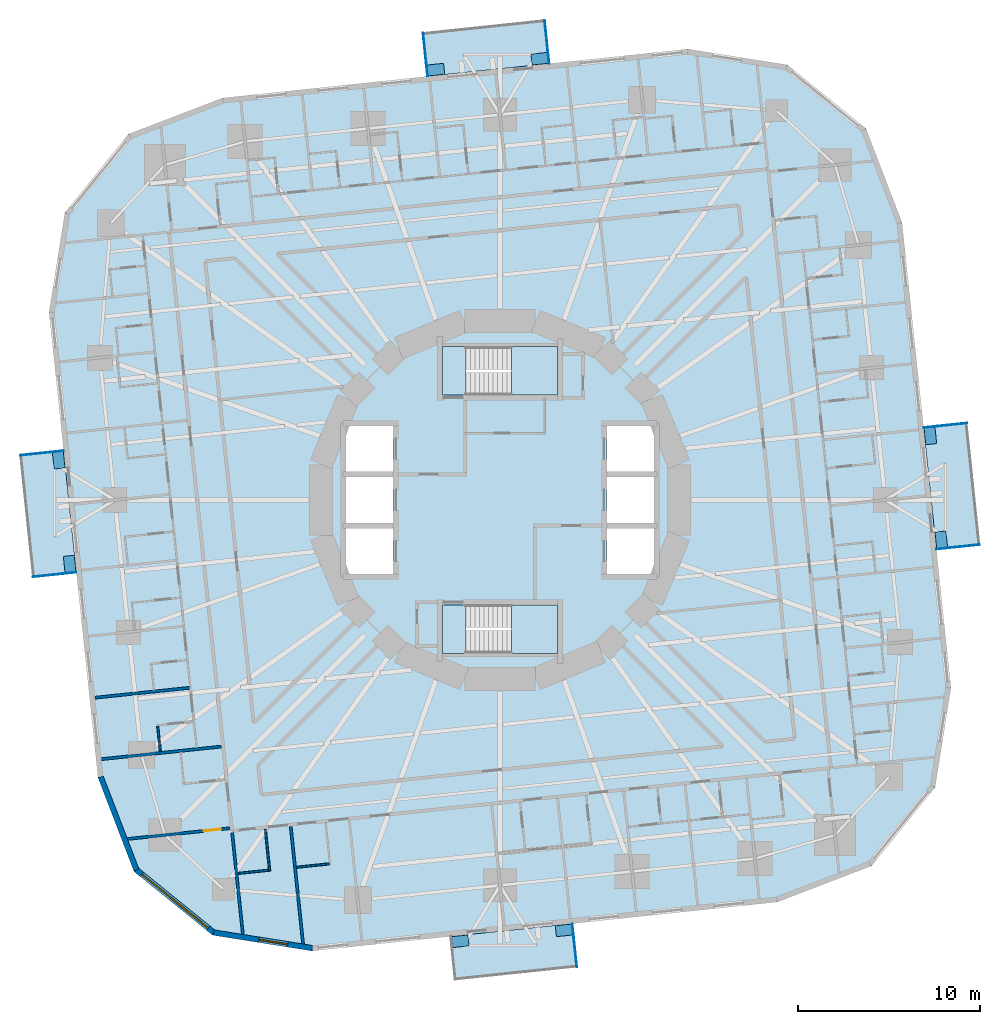
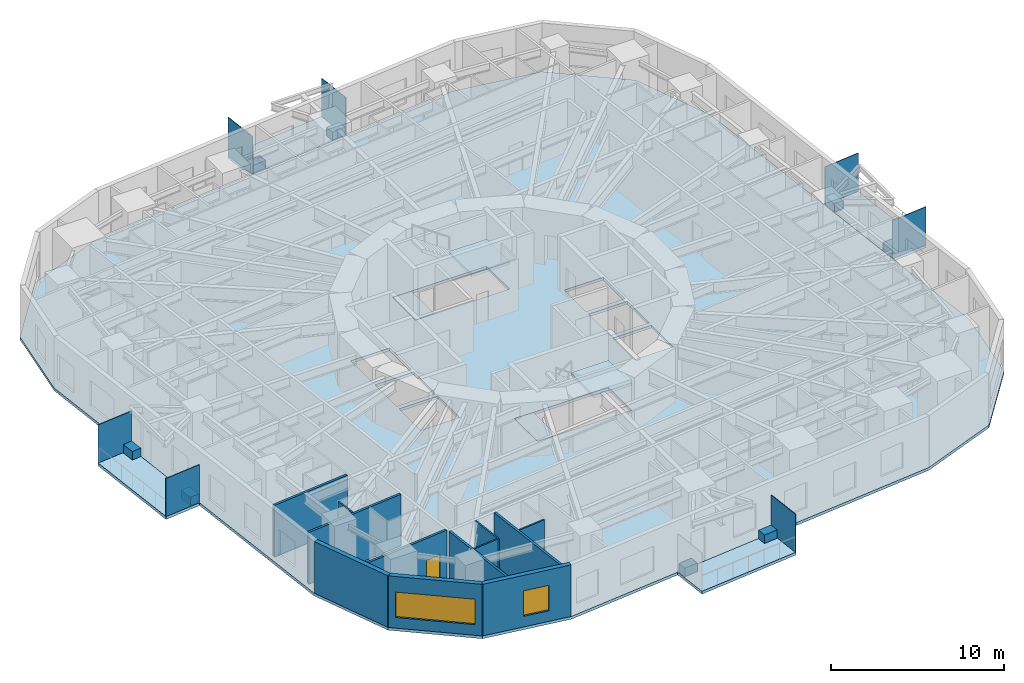
# One storey, part 4 of 15: 15 plates, 12 walls, 9 slabs, 2 windows, 1 door, 3 openings, 2 elements without a shape of their own.
"""IFC4 building model written with IfcOpenShell, lengths in metres."""

from ifc_helpers import new_model, si_unit, direction, frame, frame_2d, origin, origin_2d, place, context, subcontext, project, spatial, polyline, rectangle, outline, extrude, material, layer, layer_set, type_object, element, fill, aggregate, save


model = new_model("IFC4")

# Units and contexts
model_context = context("Model", 3, precision=1e-05, world=origin(), true_north=direction((0.0, 1.0)))
body_context = subcontext(model_context, "Body", "Model", "MODEL_VIEW")
ifc_project = project(units=[si_unit("LENGTHUNIT", "METRE"), si_unit("AREAUNIT", "SQUARE_METRE"), si_unit("VOLUMEUNIT", "CUBIC_METRE"), si_unit("PLANEANGLEUNIT", "RADIAN"), si_unit("MASSUNIT", "GRAM", prefix="KILO")], contexts=[model_context])

# Site, building, storey
site_placement = place(None, origin())
site = spatial("IfcSite", under=ifc_project, at=site_placement, CompositionType="ELEMENT")
building_placement = place(site_placement, origin())
building = spatial("IfcBuilding", under=site, at=building_placement, Name="Nakasero Lantern House", CompositionType="ELEMENT")
storey_placement = place(building_placement, frame((0.0, 0.0, 68.199951171875)))
storey = spatial("IfcBuildingStorey", under=building, at=storey_placement, Name="L16", CompositionType="ELEMENT", Elevation=68.199951171875)

# Plates
ifc_material_1 = material(Name="Aluminium 6063-T6", Category="aluminium")
ifc_layer_1 = layer(ifc_material_1, 0.60009765625)
ifc_layer_set_1 = layer_set([ifc_layer_1], Name="Balcony planter 600x900")
plate_type_1 = type_object("IfcPlateType", Name="Balcony planter 600x900", PredefinedType="USERDEFINED", material=ifc_layer_set_1)
for number, where, z_axis, x_axis, name in (
    (1, (24.1796875, -2.174560546875, 0.0), (0.0, 0.0, 1.0), (0.994521895368, 0.104528463268, 0.0), "Balcony PLANTER L16 BAL0A"),
    (2, (23.58251953125, 3.507568359375, 0.0), (0.0, 0.0, 1.0), (0.994521895368, 0.104528463268, 0.0), "Balcony PLANTER L16 BAL0B"),
    (3, (2.174560546875, 24.1796875, 0.0), (0.0, 0.0, 1.0), (-0.104528463268, 0.994521895368, 0.0), "Balcony PLANTER L16 BAL1A"),
    (4, (-3.507568359375, 23.58251953125, 0.0), (0.0, 0.0, 1.0), (-0.104528463268, 0.994521895368, 0.0), "Balcony PLANTER L16 BAL1B"),
    (5, (-24.1796875, 2.174560546875, 0.0), (0.0, 0.0, 1.0), (-0.994521895368, -0.104528463268, 0.0), "Balcony PLANTER L16 BAL2A"),
    (6, (-23.58251953125, -3.507568359375, 0.0), (0.0, 0.0, 1.0), (-0.994521895368, -0.104528463268, 0.0), "Balcony PLANTER L16 BAL2B"),
    (7, (-2.174560546875, -24.1796875, 0.0), (0.0, 0.0, 1.0), (0.104528463268, -0.994521895368, 0.0), "Balcony PLANTER L16 BAL3A"),
    (8, (3.507568359375, -23.58251953125, 0.0), (0.0, 0.0, 1.0), (0.104528463268, -0.994521895368, 0.0), "Balcony PLANTER L16 BAL3B"),
):
    element("IfcPlate", number, at=place(storey_placement, frame(where, z_axis=z_axis, x_axis=x_axis)), inside=storey, type_object=plate_type_1, Name=name, ObjectType="PLANTER", PredefinedType="USERDEFINED", context=body_context, shape_type="SweptSolid", body=[
        extrude(rectangle(XDim=0.60009765625, YDim=0.89990234375, at=origin_2d()), origin(), (0.0, 0.0, 1.0), 0.60009765625),
    ])
ifc_material_2 = material(Name="Aluminium 6063-T6", Category="aluminium")
ifc_layer_2 = layer(ifc_material_2, 0.0400390625)
ifc_layer_set_2 = layer_set([ifc_layer_2], Name="Balcony screen 2400x2700")
plate_type_2 = type_object("IfcPlateType", Name="Balcony screen 2400x2700", PredefinedType="SHEET", material=ifc_layer_set_2)
for number, where, z_axis, x_axis, name in (
    (9, (25.106201171875, -2.56982421875, 0.0), (0.0, 0.0, 1.0), (0.994521895368, 0.104528463268, 0.0), "Balcony SCREEN L16 BAL0A"),
    (10, (24.406494140625, 4.0869140625, 0.0), (0.0, 0.0, 1.0), (0.994521895368, 0.104528463268, 0.0), "Balcony SCREEN L16 BAL0B"),
    (11, (2.56982421875, 25.106201171875, 0.0), (0.0, 0.0, 1.0), (-0.104528463268, 0.994521895368, 0.0), "Balcony SCREEN L16 BAL1A"),
    (12, (-4.0869140625, 24.406494140625, 0.0), (0.0, 0.0, 1.0), (-0.104528463268, 0.994521895368, 0.0), "Balcony SCREEN L16 BAL1B"),
    (13, (-25.106201171875, 2.56982421875, 0.0), (0.0, 0.0, 1.0), (-0.994521895368, -0.104528463268, 0.0), "Balcony SCREEN L16 BAL2A"),
    (14, (-24.406494140625, -4.0869140625, 0.0), (0.0, 0.0, 1.0), (-0.994521895368, -0.104528463268, 0.0), "Balcony SCREEN L16 BAL2B"),
    (15, (4.0869140625, -24.406494140625, 0.0), (0.0, 0.0, 1.0), (0.104528463268, -0.994521895368, 0.0), "Balcony SCREEN L16 BAL3B"),
):
    element("IfcPlate", number, at=place(storey_placement, frame(where, z_axis=z_axis, x_axis=x_axis)), inside=storey, type_object=plate_type_2, Name=name, PredefinedType="SHEET", context=body_context, shape_type="SweptSolid", body=[
        extrude(rectangle(XDim=2.39990234375, YDim=0.0400390625, at=origin_2d()), origin(), (0.0, 0.0, 1.0), 2.699951171875),
    ])

# Slabs
ifc_material_3 = material(Name="Concrete C35/45", Category="concrete")
ifc_layer_3 = layer(ifc_material_3, 0.199951171875)
ifc_layer_set_3 = layer_set([ifc_layer_3], Name="Balcony slab 200")
slab_type_1 = type_object("IfcSlabType", Name="Balcony slab 200", PredefinedType="USERDEFINED", material=ifc_layer_set_3)
slab_1_placement = place(storey_placement, frame((0.0, 0.0, -0.199951171875)))
element("IfcSlab", 16, at=slab_1_placement, inside=storey, type_object=slab_type_1, Name="Balcony L16 BAL0", ObjectType="BALCONY", PredefinedType="USERDEFINED", context=body_context, shape_type="SweptSolid", body=[
    extrude(outline(polyline([(23.914794921875, -2.715087890625), (26.3017578125, -2.464111328125), (25.597900390625, 4.232177734375), (23.2109375, 3.9814453125), (23.914794921875, -2.715087890625)])), origin(), (0.0, 0.0, 1.0), 0.199951171875),
])
slab_2_placement = place(storey_placement, frame((0.0, 0.0, -0.199951171875)))
element("IfcSlab", 17, at=slab_2_placement, inside=storey, type_object=slab_type_1, Name="Balcony L16 BAL1", ObjectType="BALCONY", PredefinedType="USERDEFINED", context=body_context, shape_type="SweptSolid", body=[
    extrude(outline(polyline([(2.715087890625, 23.914794921875), (2.464111328125, 26.3017578125), (-4.232177734375, 25.597900390625), (-3.9814453125, 23.2109375), (2.715087890625, 23.914794921875)])), origin(), (0.0, 0.0, 1.0), 0.199951171875),
])
slab_3_placement = place(storey_placement, frame((0.0, 0.0, -0.199951171875)))
element("IfcSlab", 18, at=slab_3_placement, inside=storey, type_object=slab_type_1, Name="Balcony L16 BAL2", ObjectType="BALCONY", PredefinedType="USERDEFINED", context=body_context, shape_type="SweptSolid", body=[
    extrude(outline(polyline([(-23.914794921875, 2.715087890625), (-26.3017578125, 2.464111328125), (-25.597900390625, -4.232177734375), (-23.2109375, -3.9814453125), (-23.914794921875, 2.715087890625)])), origin(), (0.0, 0.0, 1.0), 0.199951171875),
])
slab_4_placement = place(storey_placement, frame((0.0, 0.0, -0.199951171875)))
element("IfcSlab", 19, at=slab_4_placement, inside=storey, type_object=slab_type_1, Name="Balcony L16 BAL3", ObjectType="BALCONY", PredefinedType="USERDEFINED", context=body_context, shape_type="SweptSolid", body=[
    extrude(outline(polyline([(-2.715087890625, -23.914794921875), (-2.464111328125, -26.3017578125), (4.232177734375, -25.597900390625), (3.9814453125, -23.2109375), (-2.715087890625, -23.914794921875)])), origin(), (0.0, 0.0, 1.0), 0.199951171875),
])
ifc_material_4 = material(Name="Concrete C35/45", Category="concrete")
ifc_layer_4 = layer(ifc_material_4, 0.199951171875)
ifc_layer_set_4 = layer_set([ifc_layer_4], Name="Composite floor slab 200")
slab_type_2 = type_object("IfcSlabType", Name="Composite floor slab 200", PredefinedType="FLOOR", material=ifc_layer_set_4)
slab_5_placement = place(storey_placement, frame((0.0, 0.0, -0.199951171875)))
element("IfcSlab", 20, at=slab_5_placement, inside=storey, type_object=slab_type_2, Name="Floor slab L16", PredefinedType="FLOOR", context=body_context, shape_type="SweptSolid", body=[
    extrude(outline(polyline([(22.033203125, 15.186279296875), (20.04833984375, 20.357177734375), (15.743896484375, 23.8427734375), (10.2734375, 24.709228515625), (-15.186279296875, 22.033203125), (-20.357177734375, 20.04833984375), (-23.8427734375, 15.743896484375), (-24.709228515625, 10.2734375), (-22.033203125, -15.186279296875), (-20.04833984375, -20.357177734375), (-15.743896484375, -23.8427734375), (-10.2734375, -24.709228515625), (15.186279296875, -22.033203125), (20.357177734375, -20.04833984375), (23.8427734375, -15.743896484375), (24.709228515625, -10.2734375), (22.033203125, 15.186279296875)]), holes=[polyline([(-8.449951171875, -4.050048828125), (-5.85009765625, -4.050048828125), (-5.85009765625, -1.550048828125), (-8.449951171875, -1.550048828125), (-8.449951171875, -4.050048828125)]), polyline([(-8.449951171875, -1.25), (-5.85009765625, -1.25), (-5.85009765625, 1.25), (-8.449951171875, 1.25), (-8.449951171875, -1.25)]), polyline([(-8.449951171875, 1.550048828125), (-5.85009765625, 1.550048828125), (-5.85009765625, 4.050048828125), (-8.449951171875, 4.050048828125), (-8.449951171875, 1.550048828125)]), polyline([(5.85009765625, -4.050048828125), (8.449951171875, -4.050048828125), (8.449951171875, -1.550048828125), (5.85009765625, -1.550048828125), (5.85009765625, -4.050048828125)]), polyline([(5.85009765625, -1.25), (8.449951171875, -1.25), (8.449951171875, 1.25), (5.85009765625, 1.25), (5.85009765625, -1.25)]), polyline([(5.85009765625, 1.550048828125), (8.449951171875, 1.550048828125), (8.449951171875, 4.050048828125), (5.85009765625, 4.050048828125), (5.85009765625, 1.550048828125)]), polyline([(-3.14990234375, 5.75), (3.14990234375, 5.75), (3.14990234375, 8.39990234375), (-3.14990234375, 8.39990234375), (-3.14990234375, 5.75)]), polyline([(-3.14990234375, -8.39990234375), (3.14990234375, -8.39990234375), (3.14990234375, -5.75), (-3.14990234375, -5.75), (-3.14990234375, -8.39990234375)])]), origin(), (0.0, 0.0, 1.0), 0.199951171875),
])

# Stair, slabs
ifc_material_5 = material(Name="Concrete C40/50", Category="concrete")
stair_type_1 = type_object("IfcStairType", Name="Escape stair ST1 22 risers", PredefinedType="HALF_TURN_STAIR", material=ifc_material_5)
stair_1_placement = place(storey_placement, origin())
stair_1 = element("IfcStair", 21, at=stair_1_placement, inside=storey, type_object=stair_type_1, Name="Escape stair ST1 L16", PredefinedType="HALF_TURN_STAIR")
ifc_material_6 = material(Name="Concrete C40/50", Category="concrete")
ifc_layer_5 = layer(ifc_material_6, 0.199951171875)
ifc_layer_set_5 = layer_set([ifc_layer_5], Name="Stair landing 200")
slab_type_3 = type_object("IfcSlabType", Name="Stair landing 200", PredefinedType="LANDING", material=ifc_layer_set_5)
slab_6_placement = place(storey_placement, frame((0.0, 0.0, -0.199951171875)))
slab_6 = element("IfcSlab", 22, at=slab_6_placement, type_object=slab_type_3, Name="ST1 landing 1", PredefinedType="LANDING", context=body_context, shape_type="SweptSolid", body=[
    extrude(outline(polyline([(-3.14990234375, 5.75), (-1.875, 5.75), (-1.875, 8.39990234375), (-3.14990234375, 8.39990234375), (-3.14990234375, 5.75)])), origin(), (0.0, 0.0, 1.0), 0.199951171875),
])
slab_7_placement = place(storey_placement, frame((0.0, 0.0, 1.72509765625)))
slab_7 = element("IfcSlab", 23, at=slab_7_placement, type_object=slab_type_3, Name="ST1 landing 2", PredefinedType="LANDING", context=body_context, shape_type="SweptSolid", body=[
    extrude(outline(polyline([(0.625, 5.75), (3.14990234375, 5.75), (3.14990234375, 8.39990234375), (0.625, 8.39990234375), (0.625, 5.75)])), origin(), (0.0, 0.0, 1.0), 0.199951171875),
])
aggregate(stair_1, [slab_6, slab_7])

ifc_material_7 = material(Name="Concrete C40/50", Category="concrete")
stair_type_2 = type_object("IfcStairType", Name="Escape stair ST2 22 risers", PredefinedType="HALF_TURN_STAIR", material=ifc_material_7)
stair_2_placement = place(storey_placement, origin())
stair_2 = element("IfcStair", 24, at=stair_2_placement, inside=storey, type_object=stair_type_2, Name="Escape stair ST2 L16", PredefinedType="HALF_TURN_STAIR")
slab_8_placement = place(storey_placement, frame((0.0, 0.0, -0.199951171875)))
slab_8 = element("IfcSlab", 25, at=slab_8_placement, type_object=slab_type_3, Name="ST2 landing 1", PredefinedType="LANDING", context=body_context, shape_type="SweptSolid", body=[
    extrude(outline(polyline([(-3.14990234375, -8.39990234375), (-1.875, -8.39990234375), (-1.875, -5.75), (-3.14990234375, -5.75), (-3.14990234375, -8.39990234375)])), origin(), (0.0, 0.0, 1.0), 0.199951171875),
])
slab_9_placement = place(storey_placement, frame((0.0, 0.0, 1.72509765625)))
slab_9 = element("IfcSlab", 26, at=slab_9_placement, type_object=slab_type_3, Name="ST2 landing 2", PredefinedType="LANDING", context=body_context, shape_type="SweptSolid", body=[
    extrude(outline(polyline([(0.625, -8.39990234375), (3.14990234375, -8.39990234375), (3.14990234375, -5.75), (0.625, -5.75), (0.625, -8.39990234375)])), origin(), (0.0, 0.0, 1.0), 0.199951171875),
])
aggregate(stair_2, [slab_8, slab_9])

# Walls
ifc_material_8 = material(Name="Blockwork", Category="masonry")
ifc_layer_6 = layer(ifc_material_8, 0.10009765625)
ifc_layer_set_6 = layer_set([ifc_layer_6], Name="En-suite wall 100")
wall_type_1 = type_object("IfcWallType", Name="En-suite wall 100", PredefinedType="PARTITIONING", material=ifc_layer_set_6)
wall_1_placement = place(storey_placement, frame((-18.757080078125, -12.394775390625, 0.0), z_axis=(0.0, 0.0, 1.0), x_axis=(0.104457839748, -0.994529315664, 0.0)))
element("IfcWall", 27, at=wall_1_placement, inside=storey, type_object=wall_type_1, Name="En-suite wall L16 EE2-07", PredefinedType="PARTITIONING", context=body_context, shape_type="SweptSolid", body=[
    extrude(rectangle(XDim=1.39990234375, YDim=0.10009765625, at=frame_2d((0.699951171875, 0.0))), origin(), (0.0, 0.0, 1.0), 3.650146484375),
])
wall_2_placement = place(storey_placement, frame((-12.859375, -18.04296875, 0.0), z_axis=(0.0, 0.0, 1.0), x_axis=(0.104452703326, -0.994529855142, 0.0)))
element("IfcWall", 28, at=wall_2_placement, inside=storey, type_object=wall_type_1, Name="En-suite wall L16 ES3-00", PredefinedType="PARTITIONING", context=body_context, shape_type="SweptSolid", body=[
    extrude(rectangle(XDim=2.300048828125, YDim=0.10009765625, at=frame_2d((1.14990234375, 0.0))), origin(), (0.0, 0.0, 1.0), 3.650146484375),
])
wall_3_placement = place(storey_placement, frame((-14.36474609375, -20.463623046875, 0.0), z_axis=(0.0, 0.0, 1.0), x_axis=(0.994519608382, 0.104550220202, 0.0)))
element("IfcWall", 29, at=wall_3_placement, inside=storey, type_object=wall_type_1, Name="En-suite wall L16 EE3-00", PredefinedType="PARTITIONING", context=body_context, shape_type="SweptSolid", body=[
    extrude(rectangle(XDim=1.699951171875, YDim=0.10009765625, at=frame_2d((0.85009765625, 0.0))), origin(), (0.0, 0.0, 1.0), 3.650146484375),
])
wall_4_placement = place(storey_placement, frame((-11.156982421875, -20.12646484375, 0.0), z_axis=(0.0, 0.0, 1.0), x_axis=(0.994516595821, 0.104578872801, 0.0)))
element("IfcWall", 30, at=wall_4_placement, inside=storey, type_object=wall_type_1, Name="En-suite wall L16 EE3-01", PredefinedType="PARTITIONING", context=body_context, shape_type="SweptSolid", body=[
    extrude(rectangle(XDim=1.7998046875, YDim=0.10009765625, at=frame_2d((0.89990234375, 0.0))), origin(), (0.0, 0.0, 1.0), 3.650146484375),
])
ifc_material_9 = material(Name="Aluminium rainscreen on blockwork", Category="masonry")
ifc_layer_7 = layer(ifc_material_9, 0.300048828125)
ifc_layer_set_7 = layer_set([ifc_layer_7], Name="Facade wall 300")
wall_type_2 = type_object("IfcWallType", Name="Facade wall 300", PredefinedType="SOLIDWALL", material=ifc_layer_set_7)
wall_5_placement = place(storey_placement, frame((-21.884033203125, -15.170654296875, 0.0), z_axis=(0.0, 0.0, 1.0), x_axis=(0.358358884793, -0.933583906079, 0.0)))
element("IfcWall", 31, at=wall_5_placement, inside=storey, type_object=wall_type_2, Name="Facade wall L16 FW2C1", PredefinedType="SOLIDWALL", context=body_context, shape_type="SweptSolid", body=[
    extrude(rectangle(XDim=5.461181640625, YDim=0.300048828125, at=frame_2d((2.73046875, 0.0))), origin(), (0.0, 0.0, 1.0), 3.650146484375),
])

# Wall, opening, window
wall_6_placement = place(storey_placement, frame((-19.927001953125, -20.26904296875, 0.0), z_axis=(0.0, 0.0, 1.0), x_axis=(0.777134500863, -0.629334543442, 0.0)))
wall_6 = element("IfcWall", 32, at=wall_6_placement, inside=storey, type_object=wall_type_2, Name="Facade wall L16 FW2C2", PredefinedType="SOLIDWALL", context=body_context, shape_type="SweptSolid", body=[
    extrude(rectangle(XDim=5.4609375, YDim=0.300048828125, at=frame_2d((2.73046875, 0.0))), origin(), (0.0, 0.0, 1.0), 3.650146484375),
])
opening_1_placement = place(wall_6_placement, frame((0.39990234375, 0.0, 0.75)))
opening_1 = element("IfcOpeningElement", 33, at=opening_1_placement, cuts=wall_6, Name="Opening W246", PredefinedType="OPENING", context=body_context, shape_type="SweptSolid", body=[
    extrude(rectangle(XDim=4.660888671875, YDim=1.800048828125, at=frame_2d((2.33056640625, 0.89990234375))), frame((0.0, 0.169921875, 0.0), z_axis=(0.0, -1.0, 0.0), x_axis=(1.0, 0.0, 0.0)), (0.0, 0.0, 1.0), 0.340087890625),
])
ifc_material_10 = material(Name="Aluminium 6063-T6 and glass", Category="aluminium")
window_type_1 = type_object("IfcWindowType", Name="Corner window 4661x1800", PartitioningType="SINGLE_PANEL", PredefinedType="WINDOW", material=ifc_material_10)
window_1_placement = place(opening_1_placement, origin())
window_1 = element("IfcWindow", 34, at=window_1_placement, inside=storey, type_object=window_type_1, Name="Window L16 WC2", OverallHeight=1.800048828125, OverallWidth=4.660888671875, PartitioningType="SINGLE_PANEL", PredefinedType="WINDOW", context=body_context, shape_type="SweptSolid", body=[
    extrude(rectangle(XDim=4.660888671875, YDim=1.800048828125, at=frame_2d((2.33056640625, 0.89990234375))), frame((0.0, 0.030029296875, 0.0), z_axis=(0.0, -1.0, 0.0), x_axis=(1.0, 0.0, 0.0)), (0.0, 0.0, 1.0), 0.06005859375),
])
fill(opening_1, window_1)

wall_7_placement = place(storey_placement, frame((-15.68310546875, -23.705810546875, 0.0), z_axis=(0.0, 0.0, 1.0), x_axis=(0.987690729142, -0.156419383601, 0.0)))
wall_7 = element("IfcWall", 35, at=wall_7_placement, inside=storey, type_object=wall_type_2, Name="Facade wall L16 FW2C3", PredefinedType="SOLIDWALL", context=body_context, shape_type="SweptSolid", body=[
    extrude(rectangle(XDim=5.461181640625, YDim=0.300048828125, at=frame_2d((2.73046875, 0.0))), origin(), (0.0, 0.0, 1.0), 3.650146484375),
])
opening_2_placement = place(wall_7_placement, frame((2.5, 0.0, 0.75)))
opening_2 = element("IfcOpeningElement", 36, at=opening_2_placement, cuts=wall_7, Name="Opening W01", PredefinedType="OPENING", context=body_context, shape_type="SweptSolid", body=[
    extrude(rectangle(XDim=1.60009765625, YDim=1.800048828125, at=frame_2d((0.800048828125, 0.89990234375))), frame((0.0, 0.169921875, 0.0), z_axis=(0.0, -1.0, 0.0), x_axis=(1.0, 0.0, 0.0)), (0.0, 0.0, 1.0), 0.340087890625),
])
ifc_material_11 = material(Name="Aluminium 6063-T6 and glass", Category="aluminium")
window_type_2 = type_object("IfcWindowType", Name="Bedroom window 1600x1800", PartitioningType="SINGLE_PANEL", PredefinedType="WINDOW", material=ifc_material_11)
window_2_placement = place(opening_2_placement, origin())
window_2 = element("IfcWindow", 37, at=window_2_placement, inside=storey, type_object=window_type_2, Name="Window L16 WN3-00", OverallHeight=1.800048828125, OverallWidth=1.60009765625, PartitioningType="SINGLE_PANEL", PredefinedType="WINDOW", context=body_context, shape_type="SweptSolid", body=[
    extrude(rectangle(XDim=1.60009765625, YDim=1.800048828125, at=frame_2d((0.800048828125, 0.89990234375))), frame((0.0, 0.030029296875, 0.0), z_axis=(0.0, -1.0, 0.0), x_axis=(1.0, 0.0, 0.0)), (0.0, 0.0, 1.0), 0.06005859375),
])
fill(opening_2, window_2)

# Walls
ifc_material_12 = material(Name="Blockwork", Category="masonry")
ifc_layer_8 = layer(ifc_material_12, 0.14990234375)
ifc_layer_set_8 = layer_set([ifc_layer_8], Name="Party wall 150")
wall_type_3 = type_object("IfcWallType", Name="Party wall 150", PredefinedType="PARTITIONING", material=ifc_layer_set_8)
wall_8_placement = place(storey_placement, frame((-17.017578125, -10.290771484375, 0.0), z_axis=(0.0, 0.0, 1.0), x_axis=(-0.994523446942, -0.104513699976, 0.0)))
element("IfcWall", 38, at=wall_8_placement, inside=storey, type_object=wall_type_3, Name="Party wall L16 PW2-07", PredefinedType="PARTITIONING", context=body_context, shape_type="SweptSolid", body=[
    extrude(rectangle(XDim=5.199951171875, YDim=0.14990234375, at=frame_2d((2.60009765625, 0.0))), origin(), (0.0, 0.0, 1.0), 3.650146484375),
])
wall_9_placement = place(storey_placement, frame((-15.271240234375, -13.511474609375, 0.0), z_axis=(0.0, 0.0, 1.0), x_axis=(-0.994521251134, -0.104534592565, 0.0)))
element("IfcWall", 39, at=wall_9_placement, inside=storey, type_object=wall_type_3, Name="Party wall L16 PW2-08", PredefinedType="PARTITIONING", context=body_context, shape_type="SweptSolid", body=[
    extrude(rectangle(XDim=6.60009765625, YDim=0.14990234375, at=frame_2d((3.300048828125, 0.0))), origin(), (0.0, 0.0, 1.0), 3.650146484375),
])

# Wall, opening, door
wall_10_placement = place(storey_placement, frame((-14.801025390625, -17.9853515625, 0.0), z_axis=(0.0, 0.0, 1.0), x_axis=(-0.994522751177, -0.104520320471, 0.0)))
wall_10 = element("IfcWall", 40, at=wall_10_placement, inside=storey, type_object=wall_type_3, Name="Party wall L16 PC2", PredefinedType="PARTITIONING", context=body_context, shape_type="SweptSolid", body=[
    extrude(rectangle(XDim=5.64111328125, YDim=0.14990234375, at=frame_2d((2.820556640625, 0.0))), origin(), (0.0, 0.0, 1.0), 3.650146484375),
])
opening_3_placement = place(wall_10_placement, frame((0.5, 0.0, 0.0)))
opening_3 = element("IfcOpeningElement", 41, at=opening_3_placement, cuts=wall_10, Name="Opening D01", PredefinedType="OPENING", context=body_context, shape_type="SweptSolid", body=[
    extrude(rectangle(XDim=0.949951171875, YDim=2.10009765625, at=frame_2d((0.47509765625, 1.050048828125))), frame((0.0, 0.094970703125, 0.0), z_axis=(0.0, -1.0, 0.0), x_axis=(1.0, 0.0, 0.0)), (0.0, 0.0, 1.0), 0.18994140625),
])
ifc_material_13 = material(Name="Timber C24", Category="wood")
door_type = type_object("IfcDoorType", Name="Bedroom door FD30S 950", OperationType="SINGLE_SWING_LEFT", PredefinedType="DOOR", material=ifc_material_13)
door_placement = place(opening_3_placement, origin())
door = element("IfcDoor", 42, at=door_placement, inside=storey, type_object=door_type, Name="Door L16 DC2", OperationType="SINGLE_SWING_LEFT", OverallHeight=2.10009765625, OverallWidth=0.949951171875, PredefinedType="DOOR", context=body_context, shape_type="SweptSolid", body=[
    extrude(rectangle(XDim=0.949951171875, YDim=2.10009765625, at=frame_2d((0.47509765625, 1.050048828125))), frame((0.0, 0.02490234375, 0.0), z_axis=(0.0, -1.0, 0.0), x_axis=(1.0, 0.0, 0.0)), (0.0, 0.0, 1.0), 0.050048828125),
])
fill(opening_3, door)

# Walls
wall_11_placement = place(storey_placement, frame((-14.674560546875, -18.23388671875, 0.0), z_axis=(0.0, 0.0, 1.0), x_axis=(0.104541754786, -0.994520498284, 0.0)))
element("IfcWall", 43, at=wall_11_placement, inside=storey, type_object=wall_type_3, Name="Party wall L16 PW3-00", PredefinedType="PARTITIONING", context=body_context, shape_type="SweptSolid", body=[
    extrude(rectangle(XDim=5.597900390625, YDim=0.14990234375, at=frame_2d((2.798828125, 0.0))), origin(), (0.0, 0.0, 1.0), 3.650146484375),
])
wall_12_placement = place(storey_placement, frame((-11.466796875, -17.896728515625, 0.0), z_axis=(0.0, 0.0, 1.0), x_axis=(0.10453728607, -0.994520968015, 0.0)))
element("IfcWall", 44, at=wall_12_placement, inside=storey, type_object=wall_type_3, Name="Party wall L16 PW3-01", PredefinedType="PARTITIONING", context=body_context, shape_type="SweptSolid", body=[
    extrude(rectangle(XDim=6.462158203125, YDim=0.14990234375, at=frame_2d((3.23095703125, 0.0))), origin(), (0.0, 0.0, 1.0), 3.650146484375),
])

save(model, "model.ifc")
